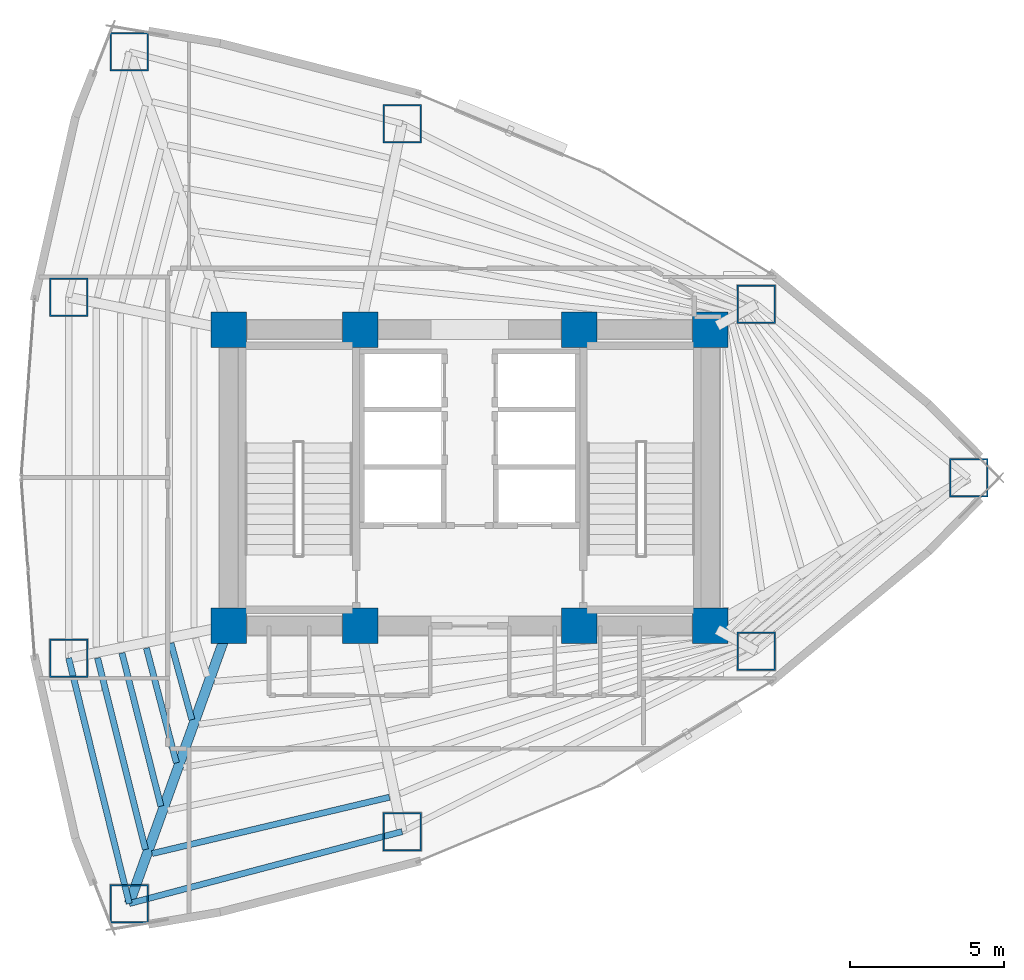
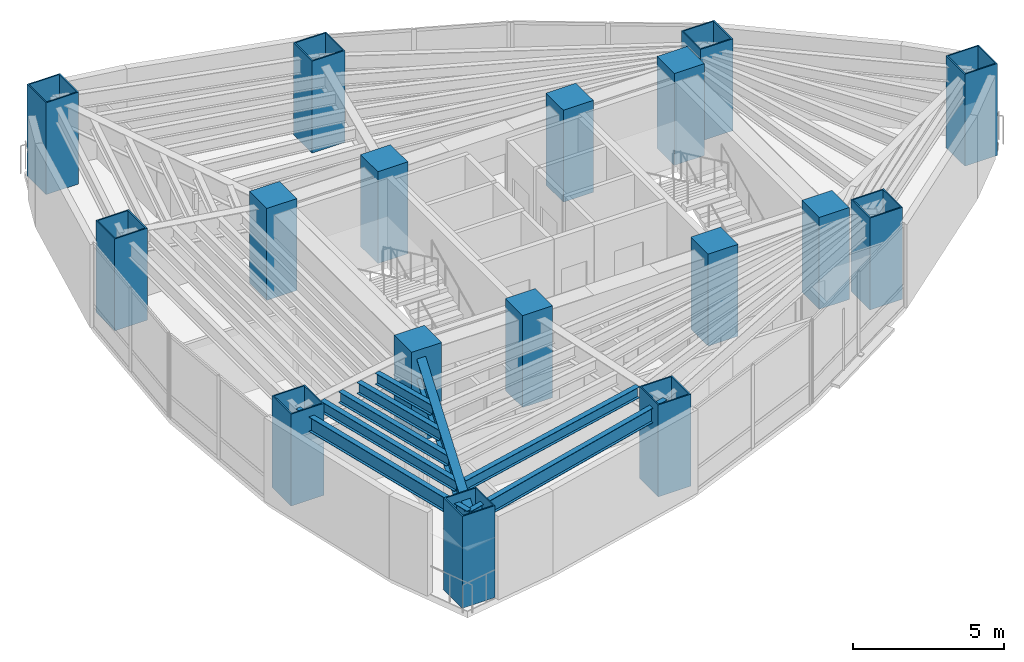
# One storey, part 1 of 16: 17 columns, 8 beams.
"""IFC4 building model written with IfcOpenShell, lengths in metres."""

from ifc_helpers import new_model, si_unit, direction, frame, origin, origin_2d, place, context, subcontext, project, spatial, rectangle, hollow_rectangle, i_section, extrude, material, material_profile, profile_set, type_object, element, save


model = new_model("IFC4")

# Units and contexts
model_context = context("Model", 3, precision=1e-05, world=origin(), true_north=direction((0.0, 1.0)))
body_context = subcontext(model_context, "Body", "Model", "MODEL_VIEW")
ifc_project = project(units=[si_unit("LENGTHUNIT", "METRE"), si_unit("AREAUNIT", "SQUARE_METRE"), si_unit("VOLUMEUNIT", "CUBIC_METRE"), si_unit("PLANEANGLEUNIT", "RADIAN"), si_unit("MASSUNIT", "GRAM", prefix="KILO")], contexts=[model_context])

# Site, building, storey
site_placement = place(None, origin())
site = spatial("IfcSite", under=ifc_project, at=site_placement, CompositionType="ELEMENT")
building_placement = place(site_placement, origin())
building = spatial("IfcBuilding", under=site, at=building_placement, Name="Menara Vayukalpa", CompositionType="ELEMENT")
storey_placement = place(building_placement, frame((0.0, 0.0, 79.679931640625)))
storey = spatial("IfcBuildingStorey", under=building, at=storey_placement, Name="L19", CompositionType="ELEMENT", Elevation=79.679931640625)

# Columns
ifc_material_1 = material(Name="Concrete C80/95", Category="concrete")
ifc_material_profile_1 = material_profile(ifc_material_1, rectangle(XDim=1.14990234375, YDim=1.14990234375, at=origin_2d()), Name="RC 1150x1150")
ifc_profile_set_1 = profile_set([ifc_material_profile_1], Name="Concrete C80/95")
column_type_1 = type_object("IfcColumnType", Name="COL-CC1", PredefinedType="COLUMN", material=ifc_profile_set_1)
for number, where, z_axis, x_axis, name in (
    (1, (17.800048828125, 17.199951171875, 0.0), (0.0, 0.0, 1.0), (1.0, 0.0, 0.0), "L19 Core Pilaster Column CC1"),
    (2, (22.050048828125, 17.199951171875, 0.0), (0.0, 0.0, 1.0), (1.0, 0.0, 0.0), "L19 Core Pilaster Column CC2"),
    (3, (29.14990234375, 17.199951171875, 0.0), (0.0, 0.0, 1.0), (1.0, 0.0, 0.0), "L19 Core Pilaster Column CC3"),
    (4, (33.39990234375, 17.199951171875, 0.0), (0.0, 0.0, 1.0), (1.0, 0.0, 0.0), "L19 Core Pilaster Column CC4"),
    (5, (17.800048828125, 26.800048828125, 0.0), (0.0, 0.0, 1.0), (1.0, 0.0, 0.0), "L19 Core Pilaster Column CC5"),
    (6, (22.050048828125, 26.800048828125, 0.0), (0.0, 0.0, 1.0), (1.0, 0.0, 0.0), "L19 Core Pilaster Column CC6"),
    (7, (29.14990234375, 26.800048828125, 0.0), (0.0, 0.0, 1.0), (1.0, 0.0, 0.0), "L19 Core Pilaster Column CC7"),
    (8, (33.39990234375, 26.800048828125, 0.0), (0.0, 0.0, 1.0), (1.0, 0.0, 0.0), "L19 Core Pilaster Column CC8"),
):
    element("IfcColumn", number, at=place(storey_placement, frame(where, z_axis=z_axis, x_axis=x_axis)), inside=storey, type_object=column_type_1, Name=name, PredefinedType="COLUMN", context=body_context, shape_type="SweptSolid", body=[
        extrude(rectangle(XDim=1.14990234375, YDim=1.14990234375, at=origin_2d()), origin(), (0.0, 0.0, 1.0), 3.719970703125),
    ])
ifc_material_2 = material(Name="Steel S460", Category="steel")
ifc_material_profile_2 = material_profile(ifc_material_2, hollow_rectangle(XDim=1.25, YDim=1.25, WallThickness=0.050048828125, at=origin_2d()), Name="BOX 1250x1250x50")
ifc_profile_set_2 = profile_set([ifc_material_profile_2], Name="Steel S460")
column_type_2 = type_object("IfcColumnType", Name="COL-MC2", PredefinedType="COLUMN", material=ifc_profile_set_2)
for number, where, z_axis, x_axis, name in (
    (9, (41.761962890625, 22.0, 0.0), (0.0, 0.0, 1.0), (1.0, 0.0, 0.0), "L19 Perimeter Mega Column P01"),
    (10, (34.88671875, 27.62158203125, 0.0), (0.0, 0.0, 1.0), (1.0, 0.0, 0.0), "L19 Perimeter Mega Column P02"),
    (11, (23.408203125, 33.46728515625, 0.0), (0.0, 0.0, 1.0), (1.0, 0.0, 0.0), "L19 Perimeter Mega Column P03"),
    (12, (14.569091796875, 35.79736328125, 0.0), (0.0, 0.0, 1.0), (1.0, 0.0, 0.0), "L19 Perimeter Mega Column P04"),
    (13, (12.606689453125, 27.845703125, 0.0), (0.0, 0.0, 1.0), (1.0, 0.0, 0.0), "L19 Perimeter Mega Column P05"),
    (14, (12.606689453125, 16.154296875, 0.0), (0.0, 0.0, 1.0), (1.0, 0.0, 0.0), "L19 Perimeter Mega Column P06"),
    (15, (14.569091796875, 8.20263671875, 0.0), (0.0, 0.0, 1.0), (1.0, 0.0, 0.0), "L19 Perimeter Mega Column P07"),
    (16, (23.408203125, 10.53271484375, 0.0), (0.0, 0.0, 1.0), (1.0, 0.0, 0.0), "L19 Perimeter Mega Column P08"),
    (17, (34.88671875, 16.37841796875, 0.0), (0.0, 0.0, 1.0), (1.0, 0.0, 0.0), "L19 Perimeter Mega Column P09"),
):
    element("IfcColumn", number, at=place(storey_placement, frame(where, z_axis=z_axis, x_axis=x_axis)), inside=storey, type_object=column_type_2, Name=name, PredefinedType="COLUMN", context=body_context, shape_type="SweptSolid", body=[
        extrude(hollow_rectangle(XDim=1.25, YDim=1.25, WallThickness=0.050048828125, at=origin_2d()), origin(), (0.0, 0.0, 1.0), 3.719970703125),
    ])

# Beams
ifc_material_3 = material(Name="Steel S355", Category="steel")
ifc_material_profile_3 = material_profile(ifc_material_3, i_section(OverallWidth=0.320068359375, OverallDepth=0.85009765625, WebThickness=0.01611328125, FlangeThickness=0.030029296875, at=origin_2d()), Name="WF 850x320x16x30")
ifc_profile_set_3 = profile_set([ifc_material_profile_3], Name="Steel S355")
beam_type_1 = type_object("IfcBeamType", Name="BM-PG2", PredefinedType="BEAM", material=ifc_profile_set_3)
beam_1_placement = place(storey_placement, frame((17.715576171875, 16.964599609375, 2.955078125), z_axis=(-0.337975542909, -0.941154892882, 0.0), x_axis=(0.941154892882, -0.337975542909, 0.0)))
element("IfcBeam", 18, at=beam_1_placement, inside=storey, type_object=beam_type_1, Name="L19 Primary Radial Girder RG07", PredefinedType="BEAM", context=body_context, shape_type="SweptSolid", body=[
    extrude(i_section(OverallWidth=0.320068359375, OverallDepth=0.85009765625, WebThickness=0.01611328125, FlangeThickness=0.030029296875, at=origin_2d()), origin(), (0.0, 0.0, 1.0), 9.309814453125),
])
ifc_material_4 = material(Name="Steel S355", Category="steel")
ifc_material_profile_4 = material_profile(ifc_material_4, i_section(OverallWidth=0.199951171875, OverallDepth=0.449951171875, WebThickness=0.009033203125, FlangeThickness=0.013916015625, at=origin_2d()), Name="WF 450x200x9x14")
ifc_profile_set_4 = profile_set([ifc_material_profile_4], Name="Steel S355")
beam_type_2 = type_object("IfcBeamType", Name="BM-SJ1", PredefinedType="JOIST", material=ifc_profile_set_4)
beam_2_placement = place(storey_placement, frame((15.919921875, 16.63818359375, 3.155029296875), z_axis=(0.263888952397, -0.964553067904, 0.0), x_axis=(0.964553067904, 0.263888952397, 0.0)))
element("IfcBeam", 19, at=beam_2_placement, inside=storey, type_object=beam_type_2, Name="L19 Secondary Floor Joist SJ06-2", PredefinedType="JOIST", context=body_context, shape_type="SweptSolid", body=[
    extrude(i_section(OverallWidth=0.199951171875, OverallDepth=0.449951171875, WebThickness=0.009033203125, FlangeThickness=0.013916015625, at=origin_2d()), origin(), (0.0, 0.0, 1.0), 2.570068359375),
])
beam_3_placement = place(storey_placement, frame((15.126220703125, 16.478271484375, 3.155029296875), z_axis=(0.252458083783, -0.967607831682, 0.0), x_axis=(0.967607831682, 0.252458083783, 0.0)))
element("IfcBeam", 20, at=beam_3_placement, inside=storey, type_object=beam_type_2, Name="L19 Secondary Floor Joist SJ06-3", PredefinedType="JOIST", context=body_context, shape_type="SweptSolid", body=[
    extrude(i_section(OverallWidth=0.199951171875, OverallDepth=0.449951171875, WebThickness=0.009033203125, FlangeThickness=0.013916015625, at=origin_2d()), origin(), (0.0, 0.0, 1.0), 3.844970703125),
])
beam_4_placement = place(storey_placement, frame((14.33349609375, 16.318603515625, 3.155029296875), z_axis=(0.246281114503, -0.969198438215, 0.0), x_axis=(0.969198438215, 0.246281114503, 0.0)))
element("IfcBeam", 21, at=beam_4_placement, inside=storey, type_object=beam_type_2, Name="L19 Secondary Floor Joist SJ06-4", PredefinedType="JOIST", context=body_context, shape_type="SweptSolid", body=[
    extrude(i_section(OverallWidth=0.199951171875, OverallDepth=0.449951171875, WebThickness=0.009033203125, FlangeThickness=0.013916015625, at=origin_2d()), origin(), (0.0, 0.0, 1.0), 5.1201171875),
])
beam_5_placement = place(storey_placement, frame((13.541015625, 16.158935546875, 3.155029296875), z_axis=(0.242481731849, -0.970155971852, 0.0), x_axis=(0.970155971852, 0.242481731849, 0.0)))
element("IfcBeam", 22, at=beam_5_placement, inside=storey, type_object=beam_type_2, Name="L19 Secondary Floor Joist SJ06-5", PredefinedType="JOIST", context=body_context, shape_type="SweptSolid", body=[
    extrude(i_section(OverallWidth=0.199951171875, OverallDepth=0.449951171875, WebThickness=0.009033203125, FlangeThickness=0.013916015625, at=origin_2d()), origin(), (0.0, 0.0, 1.0), 6.3955078125),
])
beam_6_placement = place(storey_placement, frame((15.310546875, 9.8212890625, 3.155029296875), z_axis=(0.97293602969, 0.231074624596, 0.0), x_axis=(-0.231074624596, 0.97293602969, 0.0)))
element("IfcBeam", 23, at=beam_6_placement, inside=storey, type_object=beam_type_2, Name="L19 Secondary Floor Joist SJ07-5", PredefinedType="JOIST", context=body_context, shape_type="SweptSolid", body=[
    extrude(i_section(OverallWidth=0.199951171875, OverallDepth=0.449951171875, WebThickness=0.009033203125, FlangeThickness=0.013916015625, at=origin_2d()), origin(), (0.0, 0.0, 1.0), 7.90087890625),
])
ifc_material_5 = material(Name="Steel S355", Category="steel")
ifc_material_profile_5 = material_profile(ifc_material_5, i_section(OverallWidth=0.199951171875, OverallDepth=0.60009765625, WebThickness=0.010986328125, FlangeThickness=0.01708984375, at=origin_2d()), Name="WF 600x200x11x17")
ifc_profile_set_5 = profile_set([ifc_material_profile_5], Name="Steel S355")
beam_type_3 = type_object("IfcBeamType", Name="BM-SP1", PredefinedType="SPANDREL", material=ifc_profile_set_5)
beam_7_placement = place(storey_placement, frame((12.606689453125, 16.154296875, 3.080078125), z_axis=(0.239602739234, -0.970871014786, 0.0), x_axis=(0.970871014786, 0.239602739234, 0.0)))
element("IfcBeam", 24, at=beam_7_placement, inside=storey, type_object=beam_type_3, Name="L19 Perimeter Spandrel Beam SP06", PredefinedType="SPANDREL", context=body_context, shape_type="SweptSolid", body=[
    extrude(i_section(OverallWidth=0.199951171875, OverallDepth=0.60009765625, WebThickness=0.010986328125, FlangeThickness=0.01708984375, at=origin_2d()), origin(), (0.0, 0.0, 1.0), 8.190185546875),
])
beam_8_placement = place(storey_placement, frame((14.569091796875, 8.20263671875, 3.080078125), z_axis=(0.966966857313, 0.254902131921, 0.0), x_axis=(-0.254902131921, 0.966966857313, 0.0)))
element("IfcBeam", 25, at=beam_8_placement, inside=storey, type_object=beam_type_3, Name="L19 Perimeter Spandrel Beam SP07", PredefinedType="SPANDREL", context=body_context, shape_type="SweptSolid", body=[
    extrude(i_section(OverallWidth=0.199951171875, OverallDepth=0.60009765625, WebThickness=0.010986328125, FlangeThickness=0.01708984375, at=origin_2d()), origin(), (0.0, 0.0, 1.0), 9.14111328125),
])

save(model, "model.ifc")
